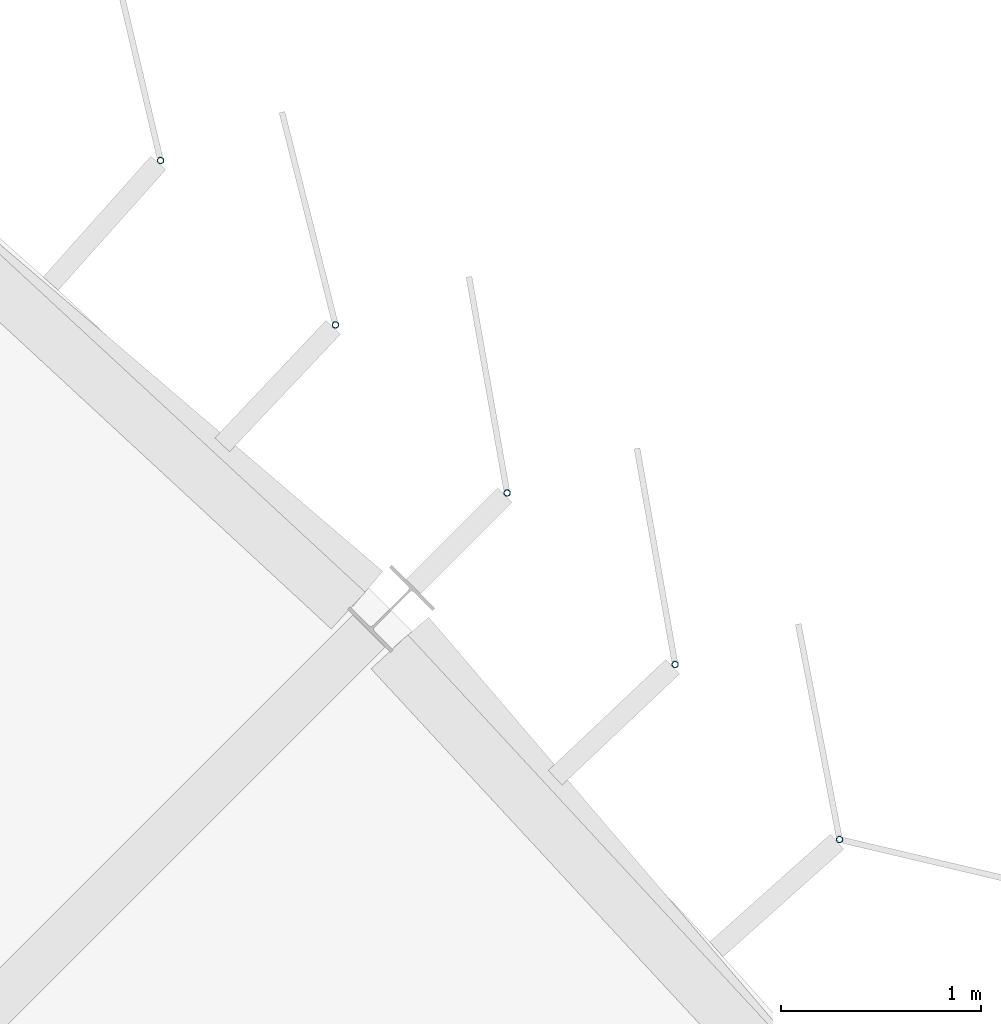
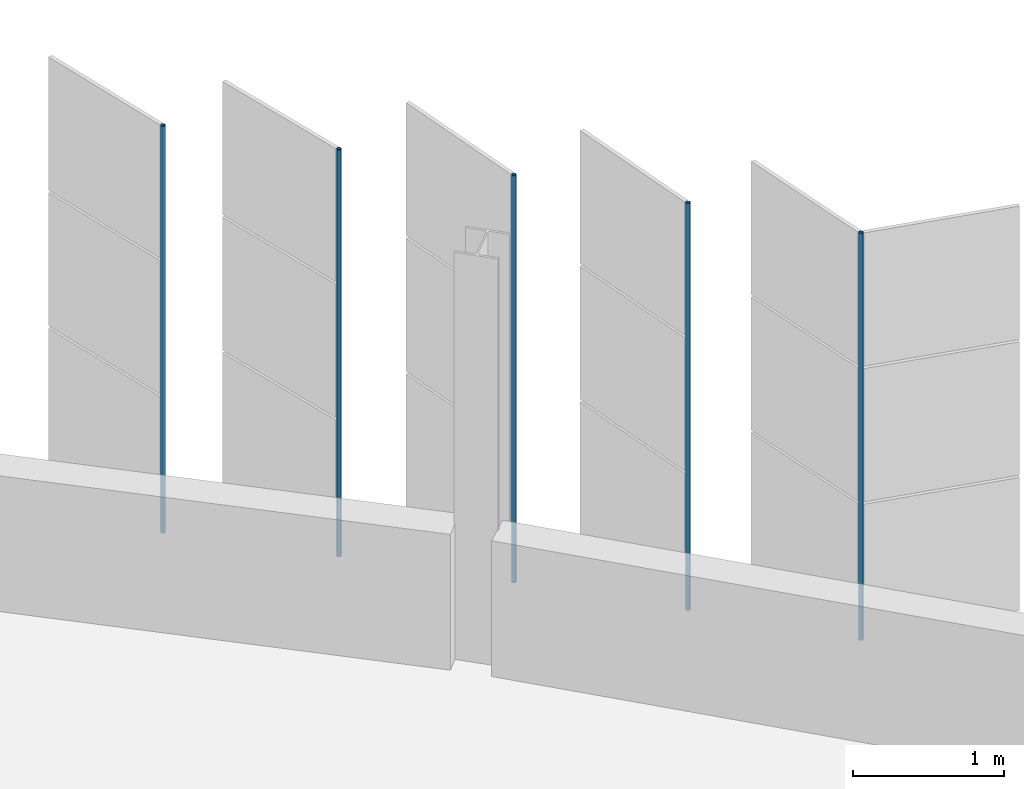
# One storey, part 142 of 214: 5 discrete accessories.
"""IFC4 building model written with IfcOpenShell, lengths in metres."""

import ifcopenshell
import ifcopenshell.guid

model = None  # the IFC model being written
_history = None  # IfcOwnerHistory: only IFC2X3 demands one
_inside = {}  # id of a spatial element -> (the spatial element, [elements in it])
_under = {}  # id of a project, library or spatial element -> (it, [spatial elements below it])
_declared = {}  # id of a project -> (the project, [libraries it declares])
_typed = {}  # id of a type object -> (the type object, [elements of that type])
_made_of = {}  # id of a material, layer set ... -> (it, [elements and type objects made of it])


def new_model(schema):
    """Start an empty IFC model of exactly this schema.

    Asked for "IFC4X3", IfcOpenShell would pick the latest addendum, in which some entities
    have other attributes; the version numbers below select the first issue.
    IFC2X3 requires an IfcOwnerHistory on every rooted entity: one is made here for all.
    """
    global model, _history
    if schema == "IFC4X3":
        model = ifcopenshell.file(schema_version=(4, 3, 0, 0))
    else:
        model = ifcopenshell.file(schema=schema)
    _inside.clear()
    _under.clear()
    _declared.clear()
    _typed.clear()
    _made_of.clear()
    _history = None
    if model.schema == "IFC2X3":
        org = make("IfcOrganization", Name="unknown")
        user = make(
            "IfcPersonAndOrganization",
            ThePerson=make("IfcPerson", FamilyName="unknown"),
            TheOrganization=org,
        )
        app = make(
            "IfcApplication",
            ApplicationDeveloper=org,
            Version="unknown",
            ApplicationFullName="unknown",
            ApplicationIdentifier="unknown",
        )
        _history = make(
            "IfcOwnerHistory",
            OwningUser=user,
            OwningApplication=app,
            ChangeAction="ADDED",
            CreationDate=0,
        )
    return model


def make(cls, **values):
    """One entity of the class cls with the attributes given. An attribute that is None is left unset."""
    return model.create_entity(
        cls, **{name: value for name, value in values.items() if value is not None}
    )


def rooted(cls, **values):
    """An entity with a GlobalId (a new one), such as an element, a storey or a relation."""
    return make(cls, GlobalId=ifcopenshell.guid.new(), OwnerHistory=_history, **values)


def si_unit(unit_type, name, prefix=None):
    """IfcSIUnit, for example si_unit("LENGTHUNIT", "METRE", prefix="MILLI")."""
    return make("IfcSIUnit", UnitType=unit_type, Prefix=prefix, Name=name)


def assignment(units):
    """IfcUnitAssignment: the units of a project."""
    return None if units is None else make("IfcUnitAssignment", Units=units)


def point(xyz):
    """IfcCartesianPoint."""
    return None if xyz is None else make("IfcCartesianPoint", Coordinates=xyz)


def direction(xyz):
    """IfcDirection."""
    return None if xyz is None else make("IfcDirection", DirectionRatios=xyz)


def frame(location, z_axis=None, x_axis=None):
    """IfcAxis2Placement3D, a coordinate frame: its origin and axes. An axis left out is left unset."""
    return make(
        "IfcAxis2Placement3D",
        Location=point(location),
        Axis=direction(z_axis),
        RefDirection=direction(x_axis),
    )


def frame_2d(location, x_axis=None):
    """IfcAxis2Placement2D, a coordinate frame in the plane: its origin and x axis."""
    return make(
        "IfcAxis2Placement2D", Location=point(location), RefDirection=direction(x_axis)
    )


def origin():
    """The frame at (0, 0, 0) with its axes left unset."""
    return frame((0.0, 0.0, 0.0))


def origin_2d():
    """The frame at (0, 0) in the plane with its x axis left unset."""
    return frame_2d((0.0, 0.0))


def place(relative_to, where):
    """IfcLocalPlacement: puts the frame where relative to a parent placement (None: the world)."""
    return make(
        "IfcLocalPlacement", PlacementRelTo=relative_to, RelativePlacement=where
    )


def context(
    kind, dimensions, precision=None, world=None, true_north=None, identifier=None
):
    """IfcGeometricRepresentationContext, for example the 3D "Model" context."""
    return make(
        "IfcGeometricRepresentationContext",
        ContextIdentifier=identifier,
        ContextType=kind,
        CoordinateSpaceDimension=dimensions,
        Precision=precision,
        WorldCoordinateSystem=world,
        TrueNorth=true_north,
    )


def subcontext(parent, identifier, kind, view, scale=None):
    """IfcGeometricRepresentationSubContext, for example "Body" below "Model"."""
    return make(
        "IfcGeometricRepresentationSubContext",
        ContextIdentifier=identifier,
        ContextType=kind,
        ParentContext=parent,
        TargetScale=scale,
        TargetView=view,
    )


def project(units=None, contexts=None):
    """IfcProject with its units and contexts."""
    return rooted(
        "IfcProject",
        Name="project",
        RepresentationContexts=contexts,
        UnitsInContext=assignment(units),
    )


def spatial(cls, under=None, at=None, **own):
    """A site, building, storey or space (cls), placed at a placement, below another one or the project."""
    s = rooted(cls, ObjectPlacement=at, **own)
    if under is not None:
        _under.setdefault(under.id(), (under, []))[1].append(s)
    return s


def profile(cls, at=None, kind="AREA", **sizes):
    """A parametric profile (cls). Its sizes go by their IFC names, for example OverallWidth=200.0."""
    return make(cls, ProfileType=kind, Position=at, **sizes)


def hollow_circle(**sizes):
    """IfcCircleHollowProfileDef."""
    return profile("IfcCircleHollowProfileDef", **sizes)


def extrude(swept, where, along, depth):
    """IfcExtrudedAreaSolid: the profile swept, set in the frame where, extruded along a direction by depth."""
    return make(
        "IfcExtrudedAreaSolid",
        SweptArea=swept,
        Position=where,
        ExtrudedDirection=direction(along),
        Depth=depth,
    )


def shape(context_of_items, identifier, shape_type, items):
    """IfcShapeRepresentation: the items that make up one representation, for example the "Body"."""
    return make(
        "IfcShapeRepresentation",
        ContextOfItems=context_of_items,
        RepresentationIdentifier=identifier,
        RepresentationType=shape_type,
        Items=items,
    )


def material(Name=None, Category=None):
    """IfcMaterial."""
    return make("IfcMaterial", Name=Name, Category=Category)


def material_profile(
    of_material, cross_section, Name=None, Category=None, Priority=None
):
    """IfcMaterialProfile: a cross section and its material."""
    return make(
        "IfcMaterialProfile",
        Name=Name,
        Material=of_material,
        Profile=cross_section,
        Priority=Priority,
        Category=Category,
    )


def profile_set(profiles, Name=None, composite=None):
    """IfcMaterialProfileSet."""
    return make(
        "IfcMaterialProfileSet",
        Name=Name,
        MaterialProfiles=profiles,
        CompositeProfile=composite,
    )


def made_of(thing, what):
    """Note that an element or type object is made of a material, layer set ...; save() writes the relation."""
    if what is not None:
        _made_of.setdefault(what.id(), (what, []))[1].append(thing)
    return thing


def type_object(cls, material=None, **own):
    """A type object (cls), such as IfcWallType, which elements share."""
    return made_of(rooted(cls, **own), material)


def element(
    cls,
    number,
    at=None,
    inside=None,
    cuts=None,
    type_object=None,
    material=None,
    context=None,
    identifier="Body",
    shape_type=None,
    held_by="IfcProductDefinitionShape",
    body=None,
    shapes=None,
    **own,
):
    """One element of the class cls, such as IfcWall. Its Tag is "e" and its number.

    at: its placement. inside: the storey or other place that contains it. cuts: it is an
    opening in that element (IfcRelVoidsElement). A single representation is given by context,
    identifier, shape_type and body (its items); several are given by shapes. held_by: the class
    of the entity that holds the representations. save() writes the other relations.
    """
    e = rooted(cls, Tag="e%d" % number, ObjectPlacement=at, **own)
    if body is not None:
        shapes = [shape(context, identifier, shape_type, body)]
    if shapes is not None:
        e.Representation = make(held_by, Representations=shapes)
    if inside is not None:
        _inside.setdefault(inside.id(), (inside, []))[1].append(e)
    if cuts is not None:
        rooted(
            "IfcRelVoidsElement", RelatingBuildingElement=cuts, RelatedOpeningElement=e
        )
    if type_object is not None:
        _typed.setdefault(type_object.id(), (type_object, []))[1].append(e)
    return made_of(e, material)


def aggregate(whole, parts):
    """IfcRelAggregates: a whole, such as a stair, and the parts it consists of."""
    return rooted("IfcRelAggregates", RelatingObject=whole, RelatedObjects=parts)


def save(model, path):
    """Write the relations noted so far, then the file.

    IfcRelAggregates (storeys below a building ...), IfcRelContainedInSpatialStructure (elements
    in a storey), IfcRelDefinesByType, IfcRelAssociatesMaterial and IfcRelDeclares: one each for
    every whole, place, type object, material and project.
    """
    for whole, parts in _under.values():
        aggregate(whole, parts)
    for where, things in _inside.values():
        rooted(
            "IfcRelContainedInSpatialStructure",
            RelatedElements=things,
            RelatingStructure=where,
        )
    for kind, things in _typed.values():
        rooted("IfcRelDefinesByType", RelatedObjects=things, RelatingType=kind)
    for what, things in _made_of.values():
        rooted("IfcRelAssociatesMaterial", RelatedObjects=things, RelatingMaterial=what)
    for by, libraries in _declared.values():
        rooted("IfcRelDeclares", RelatingContext=by, RelatedDefinitions=libraries)
    model.write(path)


model = new_model("IFC4")

# Units and contexts
model_context = context("Model", 3, precision=1e-05, world=origin(), true_north=direction((0.0, 1.0)))
body_context = subcontext(model_context, "Body", "Model", "MODEL_VIEW")
ifc_project = project(units=[si_unit("LENGTHUNIT", "METRE"), si_unit("AREAUNIT", "SQUARE_METRE"), si_unit("VOLUMEUNIT", "CUBIC_METRE"), si_unit("PLANEANGLEUNIT", "RADIAN"), si_unit("MASSUNIT", "GRAM", prefix="KILO")], contexts=[model_context])

# Site, building, storey
site_placement = place(None, origin())
site = spatial("IfcSite", under=ifc_project, at=site_placement, CompositionType="ELEMENT")
building_placement = place(site_placement, origin())
building = spatial("IfcBuilding", under=site, at=building_placement, Name="Parallax Yard Mobility Hub", CompositionType="ELEMENT")
storey_placement = place(building_placement, frame((0.0, 0.0, 3.300048828125)))
storey = spatial("IfcBuildingStorey", under=building, at=storey_placement, Name="L01", CompositionType="ELEMENT", Elevation=3.300048828125)

# Discrete accessories
ifc_material = material(Name="Steel ASTM A500 Gr C, hot-dip galvanised", Category="steel")
ifc_material_profile = material_profile(ifc_material, hollow_circle(Radius=0.016845703125, WallThickness=0.003173828125, at=origin_2d()), Name="CHS 33.7x3.2")
ifc_profile_set = profile_set([ifc_material_profile], Name="Steel ASTM A500 Gr C, hot-dip galvanised")
discrete_accessory_type = type_object("IfcDiscreteAccessoryType", Name="Hinge post CHS 33.7x3.2", PredefinedType="BRACKET", material=ifc_profile_set)
for number, where, z_axis, x_axis, name in (
    (1, (211.862548828125, 125.970458984375, 0.0), (0.0, 0.0, 1.0), (1.0, 0.0, 0.0), "Hinge post bay 45.6 level L01"),
    (2, (211.041015625, 126.844970703125, 0.0), (0.0, 0.0, 1.0), (1.0, 0.0, 0.0), "Hinge post bay 45.7 level L01"),
    (3, (210.20166015625, 127.701904296875, 0.0), (0.0, 0.0, 1.0), (1.0, 0.0, 0.0), "Hinge post bay 46.1 level L01"),
    (4, (209.344482421875, 128.54150390625, 0.0), (0.0, 0.0, 1.0), (1.0, 0.0, 0.0), "Hinge post bay 46.2 level L01"),
    (5, (208.47021484375, 129.36279296875, 0.0), (0.0, 0.0, 1.0), (1.0, 0.0, 0.0), "Hinge post bay 46.3 level L01"),
):
    element("IfcDiscreteAccessory", number, at=place(storey_placement, frame(where, z_axis=z_axis, x_axis=x_axis)), inside=storey, type_object=discrete_accessory_type, Name=name, PredefinedType="BRACKET", context=body_context, shape_type="SweptSolid", body=[
        extrude(hollow_circle(Radius=0.016845703125, WallThickness=0.003173828125, at=origin_2d()), origin(), (0.0, 0.0, 1.0), 3.300048828125),
    ])

save(model, "model.ifc")
